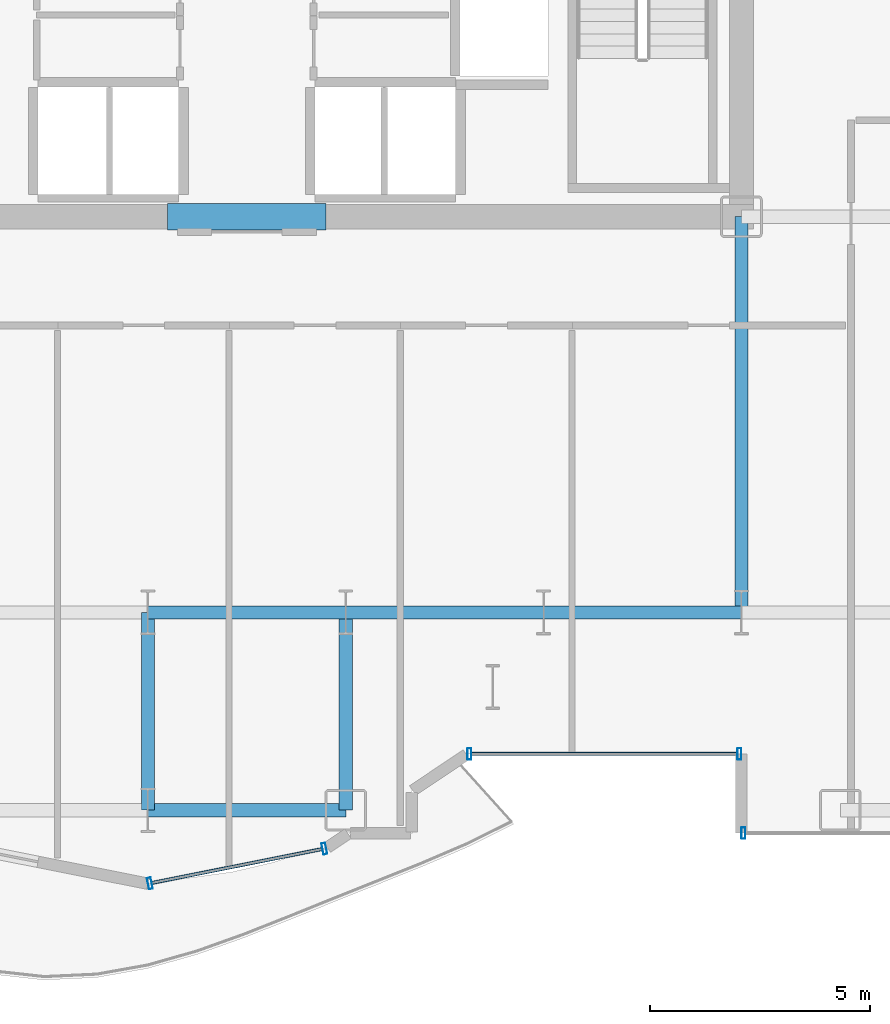
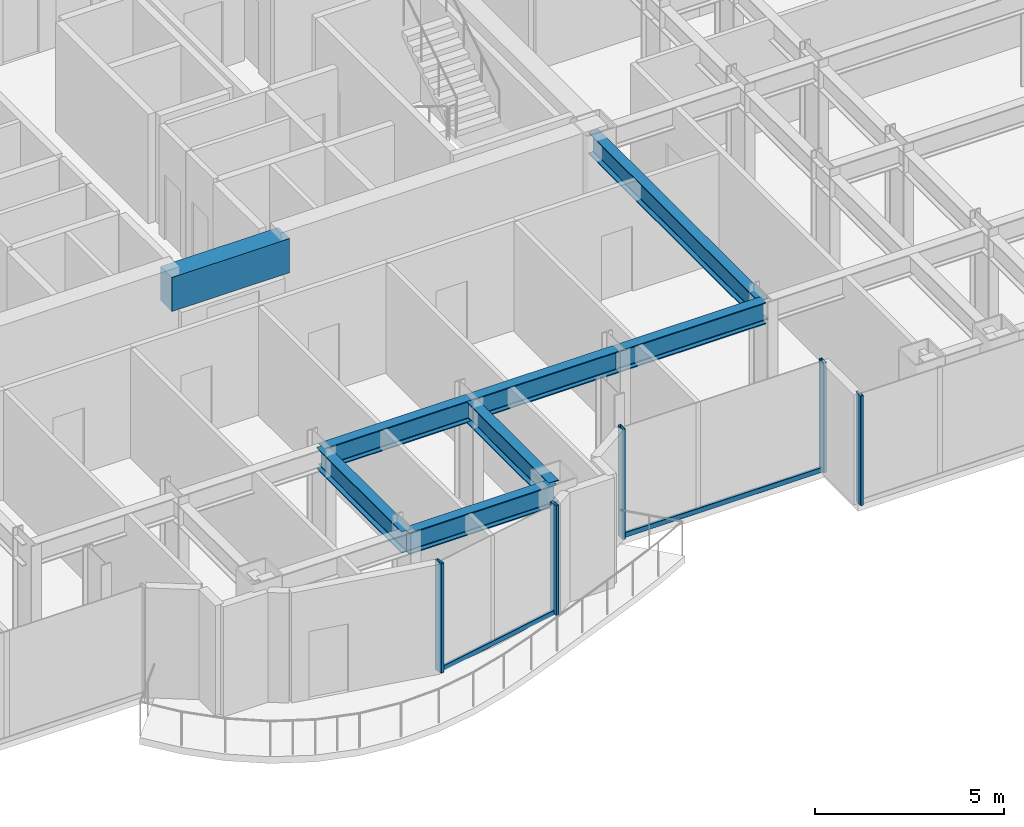
# One storey, part 8 of 29: 8 beams, 7 members, 3 elements without a shape of their own.
"""IFC4 building model written with IfcOpenShell, lengths in metres."""

from ifc_helpers import new_model, si_unit, direction, frame, origin, origin_2d, place, context, subcontext, project, spatial, rectangle, hollow_rectangle, i_section, extrude, source, transform, mapped, material, layer, layer_set, material_profile, profile_set, type_object, element, aggregate, save


model = new_model("IFC4")

# Units and contexts
model_context = context("Model", 3, precision=1e-05, world=origin(), true_north=direction((0.0, 1.0)))
body_context = subcontext(model_context, "Body", "Model", "MODEL_VIEW")
ifc_project = project(units=[si_unit("LENGTHUNIT", "METRE"), si_unit("AREAUNIT", "SQUARE_METRE"), si_unit("VOLUMEUNIT", "CUBIC_METRE"), si_unit("PLANEANGLEUNIT", "RADIAN"), si_unit("MASSUNIT", "GRAM", prefix="KILO")], contexts=[model_context])

# Site, building, storey
site_placement = place(None, origin())
site = spatial("IfcSite", under=ifc_project, at=site_placement, CompositionType="ELEMENT")
building_placement = place(site_placement, origin())
building = spatial("IfcBuilding", under=site, at=building_placement, Name="Nefas-Gora Pilgrimage Tower", CompositionType="ELEMENT")
storey_placement = place(building_placement, frame((0.0, 0.0, 90.800048828125)))
storey = spatial("IfcBuildingStorey", under=building, at=storey_placement, Name="L21", CompositionType="ELEMENT", Elevation=90.800048828125)

# Beams
ifc_material_1 = material(Name="Concrete C60/75", Category="concrete")
ifc_material_profile_1 = material_profile(ifc_material_1, rectangle(XDim=0.60009765625, YDim=1.10009765625, at=origin_2d()), Name="RC 600x1100")
ifc_profile_set_1 = profile_set([ifc_material_profile_1], Name="Concrete C60/75")
beam_type_1 = type_object("IfcBeamType", Name="BM-LIN-RC1100", PredefinedType="LINTEL", material=ifc_profile_set_1)
shared_shape_1 = source(origin(), body_context, "Body", "SweptSolid", [
    extrude(rectangle(XDim=0.60009765625, YDim=1.10009765625, at=origin_2d()), origin(), (0.0, 0.0, 1.0), 3.60009765625),
])
beam_1_placement = place(storey_placement, frame((-1.800048828125, -9.0, 3.0), z_axis=(1.0, 0.0, 0.0), x_axis=(0.0, 1.0, 0.0)))
element("IfcBeam", 1, at=beam_1_placement, inside=storey, type_object=beam_type_1, Name="L21 Core Coupling Lintel Beam S", PredefinedType="LINTEL", context=body_context, shape_type="MappedRepresentation", body=[
    mapped(shared_shape_1, transform((0.0, 0.0, 0.0), x_axis=(1.0, 0.0, 0.0), y_axis=(0.0, 1.0, 0.0), z_axis=(0.0, 0.0, 1.0), scale=1.0)),
])
ifc_material_2 = material(Name="Steel S355", Category="steel")
ifc_material_profile_2 = material_profile(ifc_material_2, i_section(OverallWidth=0.300048828125, OverallDepth=0.699951171875, WebThickness=0.01708984375, FlangeThickness=0.031982421875, FilletRadius=0.027099609375, at=origin_2d()), Name="HEB 700")
ifc_profile_set_2 = profile_set([ifc_material_profile_2], Name="Steel S355")
beam_type_2 = type_object("IfcBeamType", Name="BM-GIR-HEB700", PredefinedType="BEAM", material=ifc_profile_set_2)
shared_shape_2 = source(origin(), body_context, "Body", "SweptSolid", [
    extrude(i_section(OverallWidth=0.300048828125, OverallDepth=0.699951171875, WebThickness=0.01708984375, FlangeThickness=0.031982421875, FilletRadius=0.027099609375, at=origin_2d()), origin(), (0.0, 0.0, 1.0), 9.0),
])
beam_2_placement = place(storey_placement, frame((11.25, -18.0, 3.199951171875), z_axis=(0.0, 1.0, 0.0), x_axis=(-1.0, 0.0, 0.0)))
element("IfcBeam", 2, at=beam_2_placement, inside=storey, type_object=beam_type_2, Name="L21 G-02 beam", PredefinedType="BEAM", context=body_context, shape_type="MappedRepresentation", body=[
    mapped(shared_shape_2, transform((0.0, 0.0, 0.0), x_axis=(1.0, 0.0, 0.0), y_axis=(0.0, 1.0, 0.0), z_axis=(0.0, 0.0, 1.0), scale=1.0)),
])
shared_shape_3 = source(origin(), body_context, "Body", "SweptSolid", [
    extrude(i_section(OverallWidth=0.300048828125, OverallDepth=0.699951171875, WebThickness=0.01708984375, FlangeThickness=0.031982421875, FilletRadius=0.027099609375, at=origin_2d()), origin(), (0.0, 0.0, 1.0), 4.5),
])
for number, where, z_axis, x_axis, name in (
    (3, (-2.25, -22.5, 3.199951171875), (0.0, 1.0, 0.0), (-1.0, 0.0, 0.0), "L21 G-02 beam"),
    (4, (-2.25, -22.5, 3.199951171875), (1.0, 0.0, 0.0), (0.0, 1.0, 0.0), "L21 G-02 beam"),
    (5, (-2.25, -18.0, 3.199951171875), (1.0, 0.0, 0.0), (0.0, 1.0, 0.0), "L21 G-02 beam"),
    (6, (2.25, -22.5, 3.199951171875), (0.0, 1.0, 0.0), (-1.0, 0.0, 0.0), "L21 G-02 beam"),
    (7, (2.25, -18.0, 3.199951171875), (1.0, 0.0, 0.0), (0.0, 1.0, 0.0), "L21 G-02 beam"),
    (8, (6.75, -18.0, 3.199951171875), (1.0, 0.0, 0.0), (0.0, 1.0, 0.0), "L21 G-02 beam"),
):
    element("IfcBeam", number, at=place(storey_placement, frame(where, z_axis=z_axis, x_axis=x_axis)), inside=storey, type_object=beam_type_2, Name=name, PredefinedType="BEAM", context=body_context, shape_type="MappedRepresentation", body=[
        mapped(shared_shape_3, transform((0.0, 0.0, 0.0), x_axis=(1.0, 0.0, 0.0), y_axis=(0.0, 1.0, 0.0), z_axis=(0.0, 0.0, 1.0), scale=1.0)),
    ])

# Curtain wall, members
ifc_material_3 = material(Name="Dark ceramic-fritted solar-control aluminium-glass curtain wall", Category="aluminium")
ifc_layer_1 = layer(ifc_material_3, 0.219970703125)
ifc_layer_set_1 = layer_set([ifc_layer_1], Name="Dark ceramic-fritted solar-control aluminium-glass curtain wall")
curtain_wall_type_1 = type_object("IfcCurtainWallType", Name="CW-SYS-5", PredefinedType="NOTDEFINED", material=ifc_layer_set_1)
curtain_wall_1_placement = place(storey_placement, origin())
curtain_wall_1 = element("IfcCurtainWall", 9, at=curtain_wall_1_placement, inside=storey, type_object=curtain_wall_type_1, Name="L21 Unitised Curtain Wall CW5", PredefinedType="NOTDEFINED")
ifc_material_4 = material(Name="Anodised architectural aluminium", Category="aluminium")
ifc_material_profile_3 = material_profile(ifc_material_4, hollow_rectangle(XDim=0.090087890625, YDim=0.260009765625, WallThickness=0.006103515625, InnerFilletRadius=0.006103515625, OuterFilletRadius=0.011962890625, at=origin_2d()), Name="ALU MULLION 90x260")
ifc_profile_set_3 = profile_set([ifc_material_profile_3], Name="Anodised architectural aluminium")
member_type_1 = type_object("IfcMemberType", Name="CWM-MUL-5", PredefinedType="MULLION", material=ifc_profile_set_3)
shared_shape_4 = source(origin(), body_context, "Body", "SweptSolid", [
    extrude(hollow_rectangle(XDim=0.090087890625, YDim=0.260009765625, WallThickness=0.006103515625, InnerFilletRadius=0.006103515625, OuterFilletRadius=0.011962890625, at=origin_2d()), origin(), (0.0, 0.0, 1.0), 3.550048828125),
])
member_1_placement = place(storey_placement, frame((5.06298828125, -21.219970703125, 0.0), z_axis=(0.0, 0.0, 1.0), x_axis=(1.0, 0.0, 0.0)))
member_1 = element("IfcMember", 10, at=member_1_placement, type_object=member_type_1, Name="CW5 Mullion 1", PredefinedType="MULLION", context=body_context, shape_type="MappedRepresentation", body=[
    mapped(shared_shape_4, transform((0.0, 0.0, 0.0), x_axis=(1.0, 0.0, 0.0), y_axis=(0.0, 1.0, 0.0), z_axis=(0.0, 0.0, 1.0), scale=1.0)),
])
member_2_placement = place(storey_placement, frame((11.205078125, -21.219970703125, 0.0), z_axis=(0.0, 0.0, 1.0), x_axis=(1.0, 0.0, 0.0)))
member_2 = element("IfcMember", 11, at=member_2_placement, type_object=member_type_1, Name="CW5 Mullion 2", PredefinedType="MULLION", context=body_context, shape_type="MappedRepresentation", body=[
    mapped(shared_shape_4, transform((0.0, 0.0, 0.0), x_axis=(1.0, 0.0, 0.0), y_axis=(0.0, 1.0, 0.0), z_axis=(0.0, 0.0, 1.0), scale=1.0)),
])

curtain_wall_2_placement = place(storey_placement, origin())
curtain_wall_2 = element("IfcCurtainWall", 12, at=curtain_wall_2_placement, inside=storey, type_object=curtain_wall_type_1, Name="L21 Unitised Curtain Wall CW5", PredefinedType="NOTDEFINED")
member_3_placement = place(storey_placement, frame((-2.205810546875, -24.16357421875, 0.0), z_axis=(0.0, 0.0, 1.0), x_axis=(0.980782896852, 0.195102304554, 0.0)))
member_3 = element("IfcMember", 13, at=member_3_placement, type_object=member_type_1, Name="CW5 Mullion 1", PredefinedType="MULLION", context=body_context, shape_type="MappedRepresentation", body=[
    mapped(shared_shape_4, transform((0.0, 0.0, 0.0), x_axis=(1.0, 0.0, 0.0), y_axis=(0.0, 1.0, 0.0), z_axis=(0.0, 0.0, 1.0), scale=1.0)),
])
member_4_placement = place(storey_placement, frame((1.76318359375, -23.3740234375, 0.0), z_axis=(0.0, 0.0, 1.0), x_axis=(0.980782896852, 0.195102304554, 0.0)))
member_4 = element("IfcMember", 14, at=member_4_placement, type_object=member_type_1, Name="CW5 Mullion 2", PredefinedType="MULLION", context=body_context, shape_type="MappedRepresentation", body=[
    mapped(shared_shape_4, transform((0.0, 0.0, 0.0), x_axis=(1.0, 0.0, 0.0), y_axis=(0.0, 1.0, 0.0), z_axis=(0.0, 0.0, 1.0), scale=1.0)),
])

# Member
ifc_material_profile_4 = material_profile(ifc_material_4, hollow_rectangle(XDim=0.080078125, YDim=0.159912109375, WallThickness=0.00439453125, InnerFilletRadius=0.00439453125, OuterFilletRadius=0.009033203125, at=origin_2d()), Name="ALU TRANSOM 80x160")
ifc_profile_set_4 = profile_set([ifc_material_profile_4], Name="Anodised architectural aluminium")
member_type_2 = type_object("IfcMemberType", Name="CWM-TRN-5", PredefinedType="USERDEFINED", material=ifc_profile_set_4)
shared_shape_5 = source(origin(), body_context, "Body", "SweptSolid", [
    extrude(hollow_rectangle(XDim=0.080078125, YDim=0.159912109375, WallThickness=0.00439453125, InnerFilletRadius=0.00439453125, OuterFilletRadius=0.009033203125, at=origin_2d()), origin(), (0.0, 0.0, 1.0), 6.052001953125),
])
member_5_placement = place(storey_placement, frame((5.10791015625, -21.219970703125, 0.050048828125), z_axis=(1.0, 0.0, 0.0), x_axis=(0.0, 1.0, 0.0)))
member_5 = element("IfcMember", 15, at=member_5_placement, type_object=member_type_2, Name="CW5 Spandrel Transom", ObjectType="TRANSOM", PredefinedType="USERDEFINED", context=body_context, shape_type="MappedRepresentation", body=[
    mapped(shared_shape_5, transform((0.0, 0.0, 0.0), x_axis=(1.0, 0.0, 0.0), y_axis=(0.0, 1.0, 0.0), z_axis=(0.0, 0.0, 1.0), scale=1.0)),
])

aggregate(curtain_wall_1, [member_1, member_2, member_5])

# Curtain wall, member
ifc_layer_2 = layer(ifc_material_3, 0.219970703125)
ifc_layer_set_2 = layer_set([ifc_layer_2], Name="Dark ceramic-fritted solar-control aluminium-glass curtain wall")
curtain_wall_type_2 = type_object("IfcCurtainWallType", Name="CW-SYS-2", PredefinedType="NOTDEFINED", material=ifc_layer_set_2)
curtain_wall_3_placement = place(storey_placement, origin())
curtain_wall_3 = element("IfcCurtainWall", 16, at=curtain_wall_3_placement, inside=storey, type_object=curtain_wall_type_2, Name="L21 Unitised Curtain Wall CW2", PredefinedType="NOTDEFINED")
ifc_material_profile_5 = material_profile(ifc_material_4, hollow_rectangle(XDim=0.090087890625, YDim=0.260009765625, WallThickness=0.006103515625, InnerFilletRadius=0.006103515625, OuterFilletRadius=0.011962890625, at=origin_2d()), Name="ALU MULLION 90x260")
ifc_profile_set_5 = profile_set([ifc_material_profile_5], Name="Anodised architectural aluminium")
member_type_3 = type_object("IfcMemberType", Name="CWM-MUL-2", PredefinedType="MULLION", material=ifc_profile_set_5)
shared_shape_6 = source(origin(), body_context, "Body", "SweptSolid", [
    extrude(hollow_rectangle(XDim=0.090087890625, YDim=0.260009765625, WallThickness=0.006103515625, InnerFilletRadius=0.006103515625, OuterFilletRadius=0.011962890625, at=origin_2d()), origin(), (0.0, 0.0, 1.0), 3.550048828125),
])
member_6_placement = place(storey_placement, frame((11.294921875, -23.02001953125, 0.0), z_axis=(0.0, 0.0, 1.0), x_axis=(1.0, 0.0, 0.0)))
member_6 = element("IfcMember", 17, at=member_6_placement, type_object=member_type_3, Name="CW2 Mullion 1", PredefinedType="MULLION", context=body_context, shape_type="MappedRepresentation", body=[
    mapped(shared_shape_6, transform((0.0, 0.0, 0.0), x_axis=(1.0, 0.0, 0.0), y_axis=(0.0, 1.0, 0.0), z_axis=(0.0, 0.0, 1.0), scale=1.0)),
])
aggregate(curtain_wall_3, [member_6])

# Member
shared_shape_7 = source(origin(), body_context, "Body", "SweptSolid", [
    extrude(hollow_rectangle(XDim=0.080078125, YDim=0.159912109375, WallThickness=0.00439453125, InnerFilletRadius=0.00439453125, OuterFilletRadius=0.009033203125, at=origin_2d()), origin(), (0.0, 0.0, 1.0), 3.95654296875),
])
member_7_placement = place(storey_placement, frame((-2.16162109375, -24.15478515625, 0.050048828125), z_axis=(0.980781880918, 0.195107411605, 0.0), x_axis=(-0.195107411605, 0.980781880918, 0.0)))
member_7 = element("IfcMember", 18, at=member_7_placement, type_object=member_type_2, Name="CW5 Spandrel Transom", ObjectType="TRANSOM", PredefinedType="USERDEFINED", context=body_context, shape_type="MappedRepresentation", body=[
    mapped(shared_shape_7, transform((0.0, 0.0, 0.0), x_axis=(1.0, 0.0, 0.0), y_axis=(0.0, 1.0, 0.0), z_axis=(0.0, 0.0, 1.0), scale=1.0)),
])

aggregate(curtain_wall_2, [member_3, member_4, member_7])

save(model, "model.ifc")
